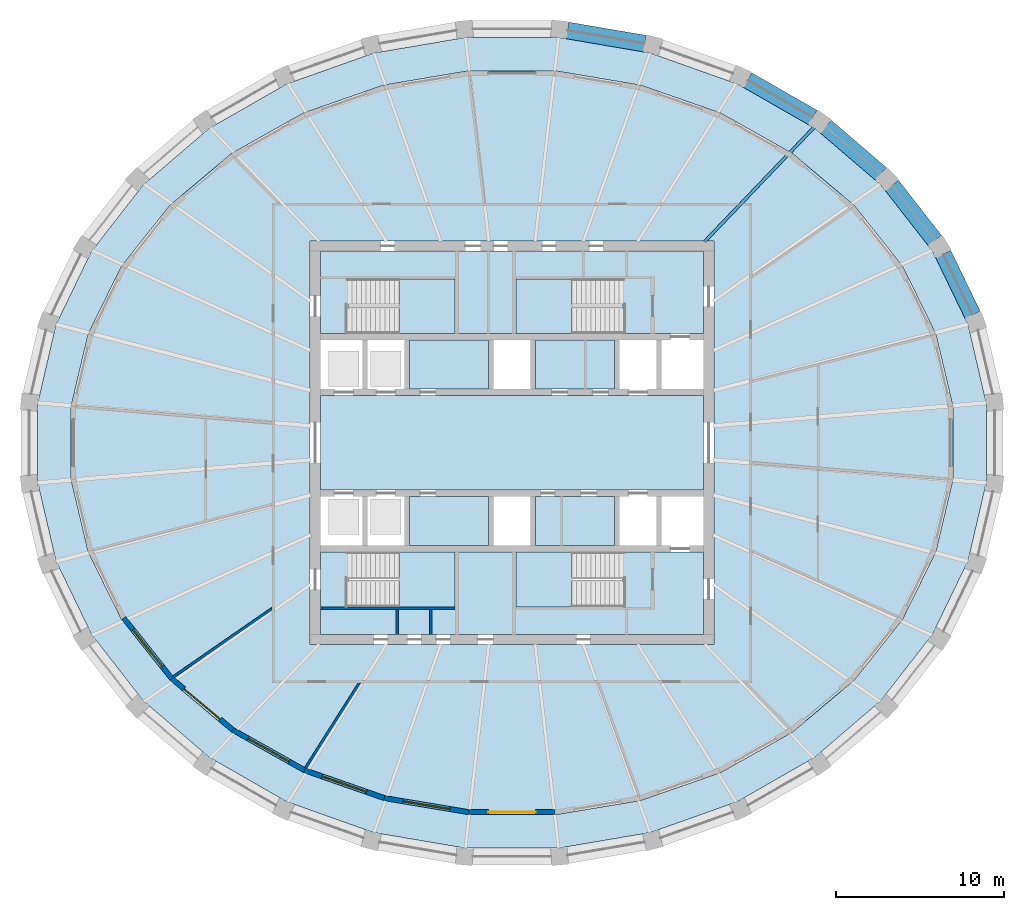
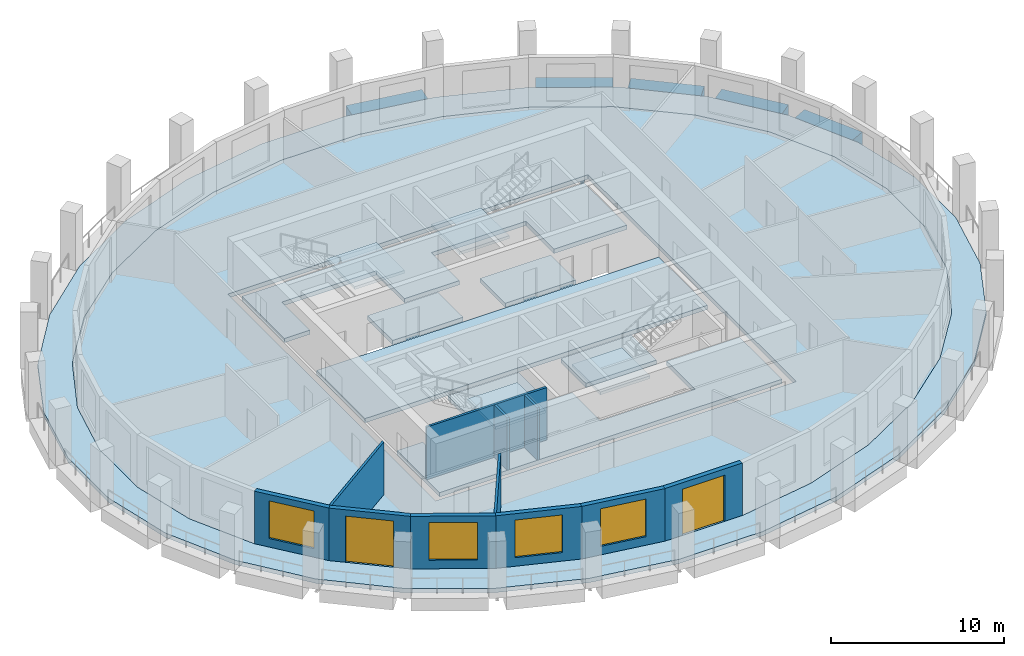
# One storey, part 2 of 10: 13 slabs, 11 walls, 6 beams, 4 windows, 2 doors, 6 openings, 4 elements without a shape of their own.
"""IFC4 building model written with IfcOpenShell, lengths in metres."""

from ifc_helpers import new_model, si_unit, direction, frame, frame_2d, origin, origin_2d, place, context, subcontext, project, spatial, polyline, rectangle, i_section, outline, extrude, material, layer, layer_set, material_profile, profile_set, type_object, element, fill, aggregate, save


model = new_model("IFC4")

# Units and contexts
model_context = context("Model", 3, precision=1e-05, world=origin(), true_north=direction((0.0, 1.0)))
body_context = subcontext(model_context, "Body", "Model", "MODEL_VIEW")
ifc_project = project(units=[si_unit("LENGTHUNIT", "METRE"), si_unit("AREAUNIT", "SQUARE_METRE"), si_unit("VOLUMEUNIT", "CUBIC_METRE"), si_unit("PLANEANGLEUNIT", "RADIAN"), si_unit("MASSUNIT", "GRAM", prefix="KILO")], contexts=[model_context])

# Site, building, storey
site_placement = place(None, origin())
site = spatial("IfcSite", under=ifc_project, at=site_placement, CompositionType="ELEMENT")
building_placement = place(site_placement, origin())
building = spatial("IfcBuilding", under=site, at=building_placement, Name="Halqa Exchange Tower", CompositionType="ELEMENT")
storey_placement = place(building_placement, frame((0.0, 0.0, 304.300048828125)))
storey = spatial("IfcBuildingStorey", under=building, at=storey_placement, Name="L71", CompositionType="ELEMENT", Elevation=304.300048828125)

# Beams
ifc_material_1 = material(Name="Steel S355", Category="steel")
ifc_material_profile_1 = material_profile(ifc_material_1, i_section(OverallWidth=0.179931640625, OverallDepth=0.39990234375, WebThickness=0.008544921875, FlangeThickness=0.013427734375, FilletRadius=0.02099609375, at=origin_2d()), Name="IPE 400")
ifc_profile_set_1 = profile_set([ifc_material_profile_1], Name="Steel S355")
beam_type_1 = type_object("IfcBeamType", Name="Floor beam IPE 400", PredefinedType="BEAM", material=ifc_profile_set_1)
beam_1_placement = place(storey_placement, frame((11.46240234375, 11.9716796875, -0.5), z_axis=(0.69157007379, 0.722309374879, 0.0), x_axis=(-0.722309374879, 0.69157007379, 0.0)))
element("IfcBeam", 1, at=beam_1_placement, inside=storey, type_object=beam_type_1, Name="Radial beam 5", PredefinedType="BEAM", context=body_context, shape_type="SweptSolid", body=[
    extrude(i_section(OverallWidth=0.179931640625, OverallDepth=0.39990234375, WebThickness=0.008544921875, FlangeThickness=0.013427734375, FilletRadius=0.02099609375, at=origin_2d()), origin(), (0.0, 0.0, 1.0), 9.5068359375),
])
ifc_material_2 = material(Name="Concrete C60/75", Category="concrete")
ifc_material_profile_2 = material_profile(ifc_material_2, rectangle(XDim=1.0, YDim=0.89990234375, at=origin_2d()), Name="1000 x 900")
ifc_profile_set_2 = profile_set([ifc_material_profile_2], Name="Concrete C60/75")
beam_type_2 = type_object("IfcBeamType", Name="RC spandrel beam 1000 x 900 C60/75", PredefinedType="SPANDREL", material=ifc_profile_set_2)
beam_2_placement = place(storey_placement, frame((27.393310546875, 7.6044921875, -0.449951171875), z_axis=(-0.43510880849, 0.900377878879, 0.0), x_axis=(-0.900377878879, -0.43510880849, 0.0)))
element("IfcBeam", 2, at=beam_2_placement, inside=storey, type_object=beam_type_2, Name="Spandrel 2", PredefinedType="SPANDREL", context=body_context, shape_type="SweptSolid", body=[
    extrude(rectangle(XDim=1.0, YDim=0.89990234375, at=origin_2d()), origin(), (0.0, 0.0, 1.0), 4.023193359375),
])
beam_3_placement = place(storey_placement, frame((25.14453125, 12.0283203125, -0.449951171875), z_axis=(-0.614813616622, 0.788672439493, 0.0), x_axis=(-0.788672439493, -0.614813616622, 0.0)))
element("IfcBeam", 3, at=beam_3_placement, inside=storey, type_object=beam_type_2, Name="Spandrel 3", PredefinedType="SPANDREL", context=body_context, shape_type="SweptSolid", body=[
    extrude(rectangle(XDim=1.0, YDim=0.89990234375, at=origin_2d()), origin(), (0.0, 0.0, 1.0), 4.160888671875),
])
beam_4_placement = place(storey_placement, frame((21.93505859375, 15.991943359375, -0.449951171875), z_axis=(-0.759264587282, 0.650782057604, 0.0), x_axis=(-0.650782057604, -0.759264587282, 0.0)))
element("IfcBeam", 4, at=beam_4_placement, inside=storey, type_object=beam_type_2, Name="Spandrel 4", PredefinedType="SPANDREL", context=body_context, shape_type="SweptSolid", body=[
    extrude(rectangle(XDim=1.0, YDim=0.89990234375, at=origin_2d()), origin(), (0.0, 0.0, 1.0), 4.31640625),
])
beam_5_placement = place(storey_placement, frame((17.885986328125, 19.345703125, -0.449951171875), z_axis=(-0.867738419342, 0.497021162123, 0.0), x_axis=(-0.497021162123, -0.867738419342, 0.0)))
element("IfcBeam", 5, at=beam_5_placement, inside=storey, type_object=beam_type_2, Name="Spandrel 5", PredefinedType="SPANDREL", context=body_context, shape_type="SweptSolid", body=[
    extrude(rectangle(XDim=1.0, YDim=0.89990234375, at=origin_2d()), origin(), (0.0, 0.0, 1.0), 4.468994140625),
])
beam_6_placement = place(storey_placement, frame((7.90478515625, 23.737060546875, -0.449951171875), z_axis=(-0.985773363279, 0.168079969805, 0.0), x_axis=(-0.168079969805, -0.985773363279, 0.0)))
element("IfcBeam", 6, at=beam_6_placement, inside=storey, type_object=beam_type_2, Name="Spandrel 7", PredefinedType="SPANDREL", context=body_context, shape_type="SweptSolid", body=[
    extrude(rectangle(XDim=1.0, YDim=0.89990234375, at=origin_2d()), origin(), (0.0, 0.0, 1.0), 4.67724609375),
])

# Slabs
ifc_layer_1 = layer(ifc_material_2, 0.300048828125)
ifc_layer_set_1 = layer_set([ifc_layer_1], Name="Concrete C60/75")
slab_type_1 = type_object("IfcSlabType", Name="Core floor slab 300", PredefinedType="FLOOR", material=ifc_layer_set_1)
slab_1_placement = place(storey_placement, frame((0.0, 0.0, -0.300048828125)))
element("IfcSlab", 7, at=slab_1_placement, inside=storey, type_object=slab_type_1, Name="Core floor slab", PredefinedType="FLOOR", context=body_context, shape_type="SweptSolid", body=[
    extrude(outline(polyline([(-11.39990234375, 2.800048828125), (11.39990234375, 2.800048828125), (11.39990234375, -2.800048828125), (-11.39990234375, -2.800048828125), (-11.39990234375, 2.800048828125)])), origin(), (0.0, 0.0, 1.0), 0.300048828125),
])
slab_2_placement = place(storey_placement, frame((0.0, 0.0, -0.300048828125)))
element("IfcSlab", 8, at=slab_2_placement, inside=storey, type_object=slab_type_1, Name="Core floor slab", PredefinedType="FLOOR", context=body_context, shape_type="SweptSolid", body=[
    extrude(outline(polyline([(-11.39990234375, 11.39990234375), (11.39990234375, 11.39990234375), (11.39990234375, 6.5), (6.550048828125, 6.5), (6.550048828125, 9.75), (0.25, 9.75), (0.25, 6.5), (-3.39990234375, 6.5), (-3.39990234375, 9.75), (-9.699951171875, 9.75), (-9.699951171875, 6.5), (-11.39990234375, 6.5), (-11.39990234375, 11.39990234375)])), origin(), (0.0, 0.0, 1.0), 0.300048828125),
])
slab_3_placement = place(storey_placement, frame((0.0, 0.0, -0.300048828125)))
element("IfcSlab", 9, at=slab_3_placement, inside=storey, type_object=slab_type_1, Name="Core floor slab", PredefinedType="FLOOR", context=body_context, shape_type="SweptSolid", body=[
    extrude(outline(polyline([(-11.39990234375, -6.5), (-9.699951171875, -6.5), (-9.699951171875, -9.75), (-3.39990234375, -9.75), (-3.39990234375, -6.5), (0.25, -6.5), (0.25, -9.75), (6.550048828125, -9.75), (6.550048828125, -6.5), (11.39990234375, -6.5), (11.39990234375, -11.39990234375), (-11.39990234375, -11.39990234375), (-11.39990234375, -6.5)])), origin(), (0.0, 0.0, 1.0), 0.300048828125),
])
slab_4_placement = place(storey_placement, frame((0.0, 0.0, -0.300048828125)))
element("IfcSlab", 10, at=slab_4_placement, inside=storey, type_object=slab_type_1, Name="Core floor slab", PredefinedType="FLOOR", context=body_context, shape_type="SweptSolid", body=[
    extrude(outline(polyline([(-1.39990234375, -3.199951171875), (-1.39990234375, -6.10009765625), (-6.10009765625, -6.10009765625), (-6.10009765625, -3.199951171875), (-1.39990234375, -3.199951171875)])), origin(), (0.0, 0.0, 1.0), 0.300048828125),
])
slab_5_placement = place(storey_placement, frame((0.0, 0.0, -0.300048828125)))
element("IfcSlab", 11, at=slab_5_placement, inside=storey, type_object=slab_type_1, Name="Core floor slab", PredefinedType="FLOOR", context=body_context, shape_type="SweptSolid", body=[
    extrude(outline(polyline([(-1.39990234375, 3.199951171875), (-6.10009765625, 3.199951171875), (-6.10009765625, 6.10009765625), (-1.39990234375, 6.10009765625), (-1.39990234375, 3.199951171875)])), origin(), (0.0, 0.0, 1.0), 0.300048828125),
])
slab_6_placement = place(storey_placement, frame((0.0, 0.0, -0.300048828125)))
element("IfcSlab", 12, at=slab_6_placement, inside=storey, type_object=slab_type_1, Name="Core floor slab", PredefinedType="FLOOR", context=body_context, shape_type="SweptSolid", body=[
    extrude(outline(polyline([(6.10009765625, -3.199951171875), (6.10009765625, -6.10009765625), (1.39990234375, -6.10009765625), (1.39990234375, -3.199951171875), (6.10009765625, -3.199951171875)])), origin(), (0.0, 0.0, 1.0), 0.300048828125),
])
slab_7_placement = place(storey_placement, frame((0.0, 0.0, -0.300048828125)))
element("IfcSlab", 13, at=slab_7_placement, inside=storey, type_object=slab_type_1, Name="Core floor slab", PredefinedType="FLOOR", context=body_context, shape_type="SweptSolid", body=[
    extrude(outline(polyline([(6.10009765625, 6.10009765625), (6.10009765625, 3.199951171875), (1.39990234375, 3.199951171875), (1.39990234375, 6.10009765625), (6.10009765625, 6.10009765625)])), origin(), (0.0, 0.0, 1.0), 0.300048828125),
])
ifc_material_3 = material(Name="Concrete C40/50", Category="concrete")
ifc_layer_2 = layer(ifc_material_3, 0.300048828125)
ifc_layer_set_2 = layer_set([ifc_layer_2], Name="Concrete C40/50")
slab_type_2 = type_object("IfcSlabType", Name="RC floor slab 300", PredefinedType="FLOOR", material=ifc_layer_set_2)
slab_8_placement = place(storey_placement, frame((0.0, 0.0, -0.300048828125)))
element("IfcSlab", 14, at=slab_8_placement, inside=storey, type_object=slab_type_2, Name="Floor slab", PredefinedType="FLOOR", context=body_context, shape_type="SweptSolid", body=[
    extrude(outline(polyline([(26.216796875, 2.18359375), (25.204833984375, 6.465576171875), (23.22216796875, 10.4951171875), (20.346923828125, 14.1171875), (16.6923828125, 17.193603515625), (12.400146484375, 19.60791015625), (7.63427734375, 21.26953125), (2.577392578125, 22.1162109375), (-2.577392578125, 22.1162109375), (-7.63427734375, 21.26953125), (-12.400146484375, 19.60791015625), (-16.6923828125, 17.193603515625), (-20.346923828125, 14.1171875), (-23.22216796875, 10.4951171875), (-25.204833984375, 6.465576171875), (-26.216796875, 2.18359375), (-26.216796875, -2.18359375), (-25.204833984375, -6.465576171875), (-23.22216796875, -10.4951171875), (-20.346923828125, -14.1171875), (-16.6923828125, -17.193603515625), (-12.400146484375, -19.60791015625), (-7.63427734375, -21.26953125), (-2.577392578125, -22.1162109375), (2.577392578125, -22.1162109375), (7.63427734375, -21.26953125), (12.400146484375, -19.60791015625), (16.6923828125, -17.193603515625), (20.346923828125, -14.1171875), (23.22216796875, -10.4951171875), (25.204833984375, -6.465576171875), (26.216796875, -2.18359375), (26.216796875, 2.18359375)]), holes=[polyline([(-12.0, -12.0), (12.0, -12.0), (12.0, 12.0), (-12.0, 12.0), (-12.0, -12.0)])]), origin(), (0.0, 0.0, 1.0), 0.300048828125),
])
ifc_layer_3 = layer(ifc_material_3, 0.300048828125)
ifc_layer_set_3 = layer_set([ifc_layer_3], Name="Concrete C40/50")
slab_type_3 = type_object("IfcSlabType", Name="RC loggia slab 300", PredefinedType="FLOOR", material=ifc_layer_set_3)
slab_9_placement = place(storey_placement, frame((0.0, 0.0, -0.300048828125)))
element("IfcSlab", 15, at=slab_9_placement, inside=storey, type_object=slab_type_3, Name="Loggia slab", PredefinedType="FLOOR", context=body_context, shape_type="SweptSolid", body=[
    extrude(outline(polyline([(28.203125, 2.365966796875), (28.203125, -2.365966796875), (27.125732421875, -7.009033203125), (25.009521484375, -11.38818359375), (21.931640625, -15.336181640625), (18.0078125, -18.69970703125), (13.386474609375, -21.346435546875), (8.245849609375, -23.171630859375), (2.78466796875, -24.102783203125), (-2.78466796875, -24.102783203125), (-8.245849609375, -23.171630859375), (-13.386474609375, -21.346435546875), (-18.0078125, -18.69970703125), (-21.931640625, -15.336181640625), (-25.009521484375, -11.38818359375), (-27.125732421875, -7.009033203125), (-28.203125, -2.365966796875), (-28.203125, 2.365966796875), (-27.125732421875, 7.009033203125), (-25.009521484375, 11.38818359375), (-21.931640625, 15.336181640625), (-18.0078125, 18.69970703125), (-13.386474609375, 21.346435546875), (-8.245849609375, 23.171630859375), (-2.78466796875, 24.102783203125), (2.78466796875, 24.102783203125), (8.245849609375, 23.171630859375), (13.386474609375, 21.346435546875), (18.0078125, 18.69970703125), (21.931640625, 15.336181640625), (25.009521484375, 11.38818359375), (27.125732421875, 7.009033203125), (28.203125, 2.365966796875)]), holes=[polyline([(26.216796875, 2.18359375), (25.204833984375, 6.465576171875), (23.22216796875, 10.4951171875), (20.346923828125, 14.1171875), (16.6923828125, 17.193603515625), (12.400146484375, 19.60791015625), (7.63427734375, 21.26953125), (2.577392578125, 22.1162109375), (-2.577392578125, 22.1162109375), (-7.63427734375, 21.26953125), (-12.400146484375, 19.60791015625), (-16.6923828125, 17.193603515625), (-20.346923828125, 14.1171875), (-23.22216796875, 10.4951171875), (-25.204833984375, 6.465576171875), (-26.216796875, 2.18359375), (-26.216796875, -2.18359375), (-25.204833984375, -6.465576171875), (-23.22216796875, -10.4951171875), (-20.346923828125, -14.1171875), (-16.6923828125, -17.193603515625), (-12.400146484375, -19.60791015625), (-7.63427734375, -21.26953125), (-2.577392578125, -22.1162109375), (2.577392578125, -22.1162109375), (7.63427734375, -21.26953125), (12.400146484375, -19.60791015625), (16.6923828125, -17.193603515625), (20.346923828125, -14.1171875), (23.22216796875, -10.4951171875), (25.204833984375, -6.465576171875), (26.216796875, -2.18359375), (26.216796875, 2.18359375)])]), origin(), (0.0, 0.0, 1.0), 0.300048828125),
])

# Stair, slab
ifc_material_4 = material(Name="Concrete C30/37", Category="concrete")
stair_type = type_object("IfcStairType", Name="Exit stair 1500 wide", PredefinedType="HALF_TURN_STAIR", material=ifc_material_4)
stair_1_placement = place(storey_placement, origin())
stair_1 = element("IfcStair", 16, at=stair_1_placement, inside=storey, type_object=stair_type, Name="Exit stair ST1", PredefinedType="HALF_TURN_STAIR")
ifc_layer_4 = layer(ifc_material_4, 0.199951171875)
ifc_layer_set_4 = layer_set([ifc_layer_4], Name="Concrete C30/37")
slab_type_4 = type_object("IfcSlabType", Name="Stair landing 200 slab", PredefinedType="LANDING", material=ifc_layer_set_4)
slab_10_placement = place(storey_placement, frame((0.0, 0.0, 1.800048828125)))
slab_10 = element("IfcSlab", 17, at=slab_10_placement, type_object=slab_type_4, Name="ST1 landing 1", PredefinedType="LANDING", context=body_context, shape_type="SweptSolid", body=[
    extrude(outline(polyline([(-6.719970703125, 6.5), (-3.39990234375, 6.5), (-3.39990234375, 9.75), (-6.719970703125, 9.75), (-6.719970703125, 6.5)])), origin(), (0.0, 0.0, 1.0), 0.199951171875),
])
aggregate(stair_1, [slab_10])

stair_2_placement = place(storey_placement, origin())
stair_2 = element("IfcStair", 18, at=stair_2_placement, inside=storey, type_object=stair_type, Name="Exit stair ST2", PredefinedType="HALF_TURN_STAIR")
slab_11_placement = place(storey_placement, frame((0.0, 0.0, 1.800048828125)))
slab_11 = element("IfcSlab", 19, at=slab_11_placement, type_object=slab_type_4, Name="ST2 landing 1", PredefinedType="LANDING", context=body_context, shape_type="SweptSolid", body=[
    extrude(outline(polyline([(0.25, 6.5), (3.570068359375, 6.5), (3.570068359375, 9.75), (0.25, 9.75), (0.25, 6.5)])), origin(), (0.0, 0.0, 1.0), 0.199951171875),
])
aggregate(stair_2, [slab_11])

stair_3_placement = place(storey_placement, origin())
stair_3 = element("IfcStair", 20, at=stair_3_placement, inside=storey, type_object=stair_type, Name="Exit stair ST3", PredefinedType="HALF_TURN_STAIR")
slab_12_placement = place(storey_placement, frame((0.0, 0.0, 1.800048828125)))
slab_12 = element("IfcSlab", 21, at=slab_12_placement, type_object=slab_type_4, Name="ST3 landing 1", PredefinedType="LANDING", context=body_context, shape_type="SweptSolid", body=[
    extrude(outline(polyline([(-6.719970703125, -9.75), (-3.39990234375, -9.75), (-3.39990234375, -6.5), (-6.719970703125, -6.5), (-6.719970703125, -9.75)])), origin(), (0.0, 0.0, 1.0), 0.199951171875),
])
aggregate(stair_3, [slab_12])

stair_4_placement = place(storey_placement, origin())
stair_4 = element("IfcStair", 22, at=stair_4_placement, inside=storey, type_object=stair_type, Name="Exit stair ST4", PredefinedType="HALF_TURN_STAIR")
slab_13_placement = place(storey_placement, frame((0.0, 0.0, 1.800048828125)))
slab_13 = element("IfcSlab", 23, at=slab_13_placement, type_object=slab_type_4, Name="ST4 landing 1", PredefinedType="LANDING", context=body_context, shape_type="SweptSolid", body=[
    extrude(outline(polyline([(0.25, -9.75), (3.570068359375, -9.75), (3.570068359375, -6.5), (0.25, -6.5), (0.25, -9.75)])), origin(), (0.0, 0.0, 1.0), 0.199951171875),
])
aggregate(stair_4, [slab_13])

# Walls
ifc_material_5 = material(Name="Fire-rated gypsum board")
ifc_layer_5 = layer(ifc_material_5, 0.14990234375)
ifc_layer_set_5 = layer_set([ifc_layer_5], Name="Fire-rated gypsum board")
wall_type_1 = type_object("IfcWallType", Name="Fire partition EI 60 150", PredefinedType="PARTITIONING", material=ifc_layer_set_5)
wall_1_placement = place(storey_placement, frame((-14.232421875, -9.83251953125, 0.0), z_axis=(0.0, 0.0, 1.0), x_axis=(-0.822725997435, -0.568438152436, 0.0)))
element("IfcWall", 24, at=wall_1_placement, inside=storey, type_object=wall_type_1, Name="L71-PWL-007", PredefinedType="PARTITIONING", context=body_context, shape_type="SweptSolid", body=[
    extrude(outline(polyline([(0.0, -0.074951171875), (1.79345703125, -0.074951171875), (3.5869140625, -0.074951171875), (5.38037109375, -0.074951171875), (7.173828125, -0.074951171875), (7.1689453125, -0.000732421875), (7.148193359375, 0.074951171875), (5.386962890625, 0.074951171875), (3.6259765625, 0.074951171875), (1.86474609375, 0.074951171875), (0.103515625, 0.074951171875), (0.0, -0.074951171875), (0.0, -0.074951171875)])), origin(), (0.0, 0.0, 1.0), 3.699951171875),
])
wall_2_placement = place(storey_placement, frame((-9.042236328125, -14.235107421875, 0.0), z_axis=(0.0, 0.0, 1.0), x_axis=(-0.535766262989, -0.844366337228, 0.0)))
element("IfcWall", 25, at=wall_2_placement, inside=storey, type_object=wall_type_1, Name="L71-PWL-009", PredefinedType="PARTITIONING", context=body_context, shape_type="SweptSolid", body=[
    extrude(outline(polyline([(6.041015625, -0.074951171875), (6.041015625, -0.0673828125), (6.037353515625, 0.000732421875), (6.02001953125, 0.074951171875), (4.51513671875, 0.074951171875), (3.010009765625, 0.074951171875), (1.505126953125, 0.074951171875), (0.0, 0.074951171875), (0.0, 0.074462890625), (0.0947265625, -0.074951171875), (2.076904296875, -0.074951171875), (4.058837890625, -0.074951171875), (6.041015625, -0.074951171875)])), origin(), (0.0, 0.0, 1.0), 3.699951171875),
])
ifc_material_6 = material(Name="Gypsum board")
ifc_layer_6 = layer(ifc_material_6, 0.14990234375)
ifc_layer_set_6 = layer_set([ifc_layer_6], Name="Gypsum board")
wall_type_2 = type_object("IfcWallType", Name="Penthouse riser wall 150 gypsum", PredefinedType="PARTITIONING", material=ifc_layer_set_6)
for number, where, z_axis, x_axis, name in (
    (26, (-6.824951171875, -11.39990234375, 0.0), (0.0, 0.0, 1.0), (0.0, 1.0, 0.0), "Partition W6.825 S"),
    (27, (-4.824951171875, -11.39990234375, 0.0), (0.0, 0.0, 1.0), (0.0, 1.0, 0.0), "Partition W4.825 S"),
):
    element("IfcWall", number, at=place(storey_placement, frame(where, z_axis=z_axis, x_axis=x_axis)), inside=storey, type_object=wall_type_2, Name=name, PredefinedType="PARTITIONING", context=body_context, shape_type="SweptSolid", body=[
        extrude(rectangle(XDim=1.5, YDim=0.14990234375, at=frame_2d((0.75, 0.0))), origin(), (0.0, 0.0, 1.0), 3.699951171875),
    ])
ifc_layer_7 = layer(ifc_material_4, 0.14990234375)
ifc_layer_set_7 = layer_set([ifc_layer_7], Name="Concrete C30/37")
wall_type_3 = type_object("IfcWallType", Name="RC stair wall 150 C30/37", PredefinedType="SHEAR", material=ifc_layer_set_7)
wall_3_placement = place(storey_placement, frame((-11.39990234375, -9.824951171875, 0.0), z_axis=(0.0, 0.0, 1.0), x_axis=(1.0, 0.0, 0.0)))
element("IfcWall", 28, at=wall_3_placement, inside=storey, type_object=wall_type_3, Name="Stair ST1 north wall S", PredefinedType="SHEAR", context=body_context, shape_type="SweptSolid", body=[
    extrude(rectangle(XDim=8.0, YDim=0.14990234375, at=frame_2d((4.0, 0.0))), origin(), (0.0, 0.0, 1.0), 3.699951171875),
])

# Wall, opening, window
ifc_material_7 = material(Name="Limestone cladding", Category="masonry")
ifc_layer_8 = layer(ifc_material_7, 0.0400390625)
ifc_material_8 = material(Name="Ventilated cavity")
ifc_layer_9 = layer(ifc_material_8, 0.030029296875, ventilated=True)
ifc_material_9 = material(Name="Mineral wool insulation")
ifc_layer_10 = layer(ifc_material_9, 0.10009765625)
ifc_layer_11 = layer(ifc_material_4, 0.10009765625)
ifc_material_10 = material(Name="Internal plaster")
ifc_layer_12 = layer(ifc_material_10, 0.030029296875)
ifc_layer_set_8 = layer_set([ifc_layer_8, ifc_layer_9, ifc_layer_10, ifc_layer_11, ifc_layer_12], Name="Stone-faced insulated wall 300")
wall_type_4 = type_object("IfcWallType", Name="Stone-faced insulated wall 300", PredefinedType="STANDARD", material=ifc_layer_set_8)
wall_4_placement = place(storey_placement, frame((-23.094482421875, -10.41455078125, 0.0), z_axis=(0.0, 0.0, 1.0), x_axis=(0.621682706372, -0.78326918272, 0.0)))
wall_4 = element("IfcWall", 29, at=wall_4_placement, inside=storey, type_object=wall_type_4, Name="Glass-line wall 19", PredefinedType="STANDARD", context=body_context, shape_type="SweptSolid", body=[
    extrude(outline(polyline([(-0.01611328125, -0.14990234375), (4.608154296875, -0.14990234375), (4.577880859375, 0.14990234375), (0.01611328125, 0.14990234375), (-0.01611328125, -0.14990234375)])), origin(), (0.0, 0.0, 1.0), 3.699951171875),
])
opening_1_placement = place(wall_4_placement, frame((0.896484375, 0.0, 0.60009765625)))
opening_1 = element("IfcOpeningElement", 30, at=opening_1_placement, cuts=wall_4, Name="Opening W-F4-19", PredefinedType="OPENING", context=body_context, shape_type="SweptSolid", body=[
    extrude(rectangle(XDim=2.800048828125, YDim=2.64990234375, at=frame_2d((1.39990234375, 1.324951171875))), frame((0.0, 0.162109375, 0.0), z_axis=(0.0, -1.0, 0.0), x_axis=(1.0, 0.0, 0.0)), (0.0, 0.0, 1.0), 0.323974609375),
])
ifc_material_11 = material(Name="Clear low-emissivity glass in aluminium frame", Category="aluminium")
window_type = type_object("IfcWindowType", Name="Fixed clear glazed window 2800 x 2650", PartitioningType="DOUBLE_PANEL_VERTICAL", PredefinedType="WINDOW", material=ifc_material_11)
window_1_placement = place(opening_1_placement, origin())
window_1 = element("IfcWindow", 31, at=window_1_placement, inside=storey, type_object=window_type, Name="Window 4", OverallHeight=2.64990234375, OverallWidth=2.800048828125, PartitioningType="DOUBLE_PANEL_VERTICAL", PredefinedType="WINDOW", context=body_context, shape_type="SweptSolid", body=[
    extrude(rectangle(XDim=2.800048828125, YDim=2.64990234375, at=frame_2d((1.39990234375, 1.324951171875))), frame((0.0, 0.030029296875, 0.0), z_axis=(0.0, -1.0, 0.0), x_axis=(1.0, 0.0, 0.0)), (0.0, 0.0, 1.0), 0.06005859375),
])
fill(opening_1, window_1)

# Wall, opening, door
wall_5_placement = place(storey_placement, frame((-20.239013671875, -14.01220703125, 0.0), z_axis=(0.0, 0.0, 1.0), x_axis=(0.765059193792, -0.643959959931, 0.0)))
wall_5 = element("IfcWall", 32, at=wall_5_placement, inside=storey, type_object=wall_type_4, Name="Glass-line wall 20", PredefinedType="STANDARD", context=body_context, shape_type="SweptSolid", body=[
    extrude(outline(polyline([(-0.01513671875, -0.14990234375), (4.761962890625, -0.14990234375), (4.733642578125, 0.14990234375), (0.01513671875, 0.14990234375), (-0.01513671875, -0.14990234375)])), origin(), (0.0, 0.0, 1.0), 3.699951171875),
])
opening_2_placement = place(wall_5_placement, frame((0.973876953125, 0.0, 0.0)))
opening_2 = element("IfcOpeningElement", 33, at=opening_2_placement, cuts=wall_5, Name="Opening LG-F4-05", PredefinedType="OPENING", context=body_context, shape_type="SweptSolid", body=[
    extrude(rectangle(XDim=2.800048828125, YDim=3.25, at=frame_2d((1.39990234375, 1.625))), frame((0.0, 0.162109375, 0.0), z_axis=(0.0, -1.0, 0.0), x_axis=(1.0, 0.0, 0.0)), (0.0, 0.0, 1.0), 0.323974609375),
])
door_type = type_object("IfcDoorType", Name="Glazed sliding loggia door 2800 x 3250", OperationType="DOUBLE_DOOR_SLIDING", PredefinedType="DOOR", material=ifc_material_11)
door_1_placement = place(opening_2_placement, origin())
door_1 = element("IfcDoor", 34, at=door_1_placement, inside=storey, type_object=door_type, Name="Loggia door 5", OperationType="DOUBLE_DOOR_SLIDING", OverallHeight=3.25, OverallWidth=2.800048828125, PredefinedType="DOOR", context=body_context, shape_type="SweptSolid", body=[
    extrude(rectangle(XDim=2.800048828125, YDim=3.25, at=frame_2d((1.39990234375, 1.625))), frame((0.0, 0.02490234375, 0.0), z_axis=(0.0, -1.0, 0.0), x_axis=(1.0, 0.0, 0.0)), (0.0, 0.0, 1.0), 0.050048828125),
])
fill(opening_2, door_1)

# Wall, opening, window
wall_6_placement = place(storey_placement, frame((-16.606689453125, -17.069580078125, 0.0), z_axis=(0.0, 0.0, 1.0), x_axis=(0.871570211895, -0.490270706588, 0.0)))
wall_6 = element("IfcWall", 35, at=wall_6_placement, inside=storey, type_object=wall_type_4, Name="Glass-line wall 21", PredefinedType="STANDARD", context=body_context, shape_type="SweptSolid", body=[
    extrude(outline(polyline([(-0.01416015625, -0.14990234375), (4.91064453125, -0.14990234375), (4.88427734375, 0.14990234375), (0.01416015625, 0.14990234375), (-0.01416015625, -0.14990234375)])), origin(), (0.0, 0.0, 1.0), 3.699951171875),
])
opening_3_placement = place(wall_6_placement, frame((1.048828125, 0.0, 0.60009765625)))
opening_3 = element("IfcOpeningElement", 36, at=opening_3_placement, cuts=wall_6, Name="Opening W-F4-21", PredefinedType="OPENING", context=body_context, shape_type="SweptSolid", body=[
    extrude(rectangle(XDim=2.800048828125, YDim=2.64990234375, at=frame_2d((1.39990234375, 1.324951171875))), frame((0.0, 0.162109375, 0.0), z_axis=(0.0, -1.0, 0.0), x_axis=(1.0, 0.0, 0.0)), (0.0, 0.0, 1.0), 0.323974609375),
])
window_2_placement = place(opening_3_placement, origin())
window_2 = element("IfcWindow", 37, at=window_2_placement, inside=storey, type_object=window_type, Name="Window 4", OverallHeight=2.64990234375, OverallWidth=2.800048828125, PartitioningType="DOUBLE_PANEL_VERTICAL", PredefinedType="WINDOW", context=body_context, shape_type="SweptSolid", body=[
    extrude(rectangle(XDim=2.800048828125, YDim=2.64990234375, at=frame_2d((1.39990234375, 1.324951171875))), frame((0.0, 0.030029296875, 0.0), z_axis=(0.0, -1.0, 0.0), x_axis=(1.0, 0.0, 0.0)), (0.0, 0.0, 1.0), 0.06005859375),
])
fill(opening_3, window_2)

wall_7_placement = place(storey_placement, frame((-12.338134765625, -19.470703125, 0.0), z_axis=(0.0, 0.0, 1.0), x_axis=(0.944251863618, -0.329223963365, 0.0)))
wall_7 = element("IfcWall", 38, at=wall_7_placement, inside=storey, type_object=wall_type_4, Name="Glass-line wall 22", PredefinedType="STANDARD", context=body_context, shape_type="SweptSolid", body=[
    extrude(outline(polyline([(-0.01318359375, -0.14990234375), (5.033935546875, -0.14990234375), (5.008544921875, 0.14990234375), (0.01318359375, 0.14990234375), (-0.01318359375, -0.14990234375)])), origin(), (0.0, 0.0, 1.0), 3.699951171875),
])
opening_4_placement = place(wall_7_placement, frame((1.110595703125, 0.0, 0.60009765625)))
opening_4 = element("IfcOpeningElement", 39, at=opening_4_placement, cuts=wall_7, Name="Opening W-F4-22", PredefinedType="OPENING", context=body_context, shape_type="SweptSolid", body=[
    extrude(rectangle(XDim=2.800048828125, YDim=2.64990234375, at=frame_2d((1.39990234375, 1.324951171875))), frame((0.0, 0.162109375, 0.0), z_axis=(0.0, -1.0, 0.0), x_axis=(1.0, 0.0, 0.0)), (0.0, 0.0, 1.0), 0.323974609375),
])
window_3_placement = place(opening_4_placement, origin())
window_3 = element("IfcWindow", 40, at=window_3_placement, inside=storey, type_object=window_type, Name="Window 4", OverallHeight=2.64990234375, OverallWidth=2.800048828125, PartitioningType="DOUBLE_PANEL_VERTICAL", PredefinedType="WINDOW", context=body_context, shape_type="SweptSolid", body=[
    extrude(rectangle(XDim=2.800048828125, YDim=2.64990234375, at=frame_2d((1.39990234375, 1.324951171875))), frame((0.0, 0.030029296875, 0.0), z_axis=(0.0, -1.0, 0.0), x_axis=(1.0, 0.0, 0.0)), (0.0, 0.0, 1.0), 0.06005859375),
])
fill(opening_4, window_3)

wall_8_placement = place(storey_placement, frame((-7.596923828125, -21.123779296875, 0.0), z_axis=(0.0, 0.0, 1.0), x_axis=(0.986269480969, -0.165143909695, 0.0)))
wall_8 = element("IfcWall", 41, at=wall_8_placement, inside=storey, type_object=wall_type_4, Name="Glass-line wall 23", PredefinedType="STANDARD", context=body_context, shape_type="SweptSolid", body=[
    extrude(outline(polyline([(-0.0126953125, -0.14990234375), (5.1142578125, -0.14990234375), (5.08935546875, 0.14990234375), (0.0126953125, 0.14990234375), (-0.0126953125, -0.14990234375)])), origin(), (0.0, 0.0, 1.0), 3.699951171875),
])
opening_5_placement = place(wall_8_placement, frame((1.15087890625, 0.0, 0.60009765625)))
opening_5 = element("IfcOpeningElement", 42, at=opening_5_placement, cuts=wall_8, Name="Opening W-F4-23", PredefinedType="OPENING", context=body_context, shape_type="SweptSolid", body=[
    extrude(rectangle(XDim=2.800048828125, YDim=2.64990234375, at=frame_2d((1.39990234375, 1.324951171875))), frame((0.0, 0.162109375, 0.0), z_axis=(0.0, -1.0, 0.0), x_axis=(1.0, 0.0, 0.0)), (0.0, 0.0, 1.0), 0.323974609375),
])
window_4_placement = place(opening_5_placement, origin())
window_4 = element("IfcWindow", 43, at=window_4_placement, inside=storey, type_object=window_type, Name="Window 4", OverallHeight=2.64990234375, OverallWidth=2.800048828125, PartitioningType="DOUBLE_PANEL_VERTICAL", PredefinedType="WINDOW", context=body_context, shape_type="SweptSolid", body=[
    extrude(rectangle(XDim=2.800048828125, YDim=2.64990234375, at=frame_2d((1.39990234375, 1.324951171875))), frame((0.0, 0.030029296875, 0.0), z_axis=(0.0, -1.0, 0.0), x_axis=(1.0, 0.0, 0.0)), (0.0, 0.0, 1.0), 0.06005859375),
])
fill(opening_5, window_4)

# Wall, opening, door
wall_9_placement = place(storey_placement, frame((-2.565185546875, -21.96630859375, 0.0), z_axis=(0.0, 0.0, 1.0), x_axis=(1.0, 0.0, 0.0)))
wall_9 = element("IfcWall", 44, at=wall_9_placement, inside=storey, type_object=wall_type_4, Name="Glass-line wall 24", PredefinedType="STANDARD", context=body_context, shape_type="SweptSolid", body=[
    extrude(outline(polyline([(-0.012451171875, -0.14990234375), (5.142822265625, -0.14990234375), (5.117919921875, 0.14990234375), (0.012451171875, 0.14990234375), (-0.012451171875, -0.14990234375)])), origin(), (0.0, 0.0, 1.0), 3.699951171875),
])
opening_6_placement = place(wall_9_placement, frame((1.1650390625, 0.0, 0.0)))
opening_6 = element("IfcOpeningElement", 45, at=opening_6_placement, cuts=wall_9, Name="Opening LG-F4-06", PredefinedType="OPENING", context=body_context, shape_type="SweptSolid", body=[
    extrude(rectangle(XDim=2.800048828125, YDim=3.25, at=frame_2d((1.39990234375, 1.625))), frame((0.0, 0.162109375, 0.0), z_axis=(0.0, -1.0, 0.0), x_axis=(1.0, 0.0, 0.0)), (0.0, 0.0, 1.0), 0.323974609375),
])
door_2_placement = place(opening_6_placement, origin())
door_2 = element("IfcDoor", 46, at=door_2_placement, inside=storey, type_object=door_type, Name="Loggia door 6", OperationType="DOUBLE_DOOR_SLIDING", OverallHeight=3.25, OverallWidth=2.800048828125, PredefinedType="DOOR", context=body_context, shape_type="SweptSolid", body=[
    extrude(rectangle(XDim=2.800048828125, YDim=3.25, at=frame_2d((1.39990234375, 1.625))), frame((0.0, 0.02490234375, 0.0), z_axis=(0.0, -1.0, 0.0), x_axis=(1.0, 0.0, 0.0)), (0.0, 0.0, 1.0), 0.050048828125),
])
fill(opening_6, door_2)

save(model, "model.ifc")
